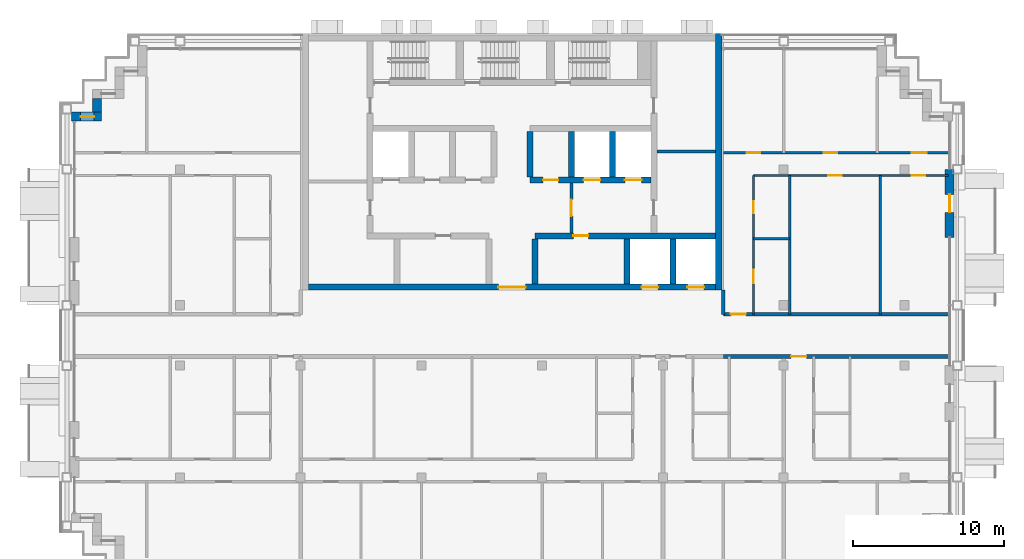
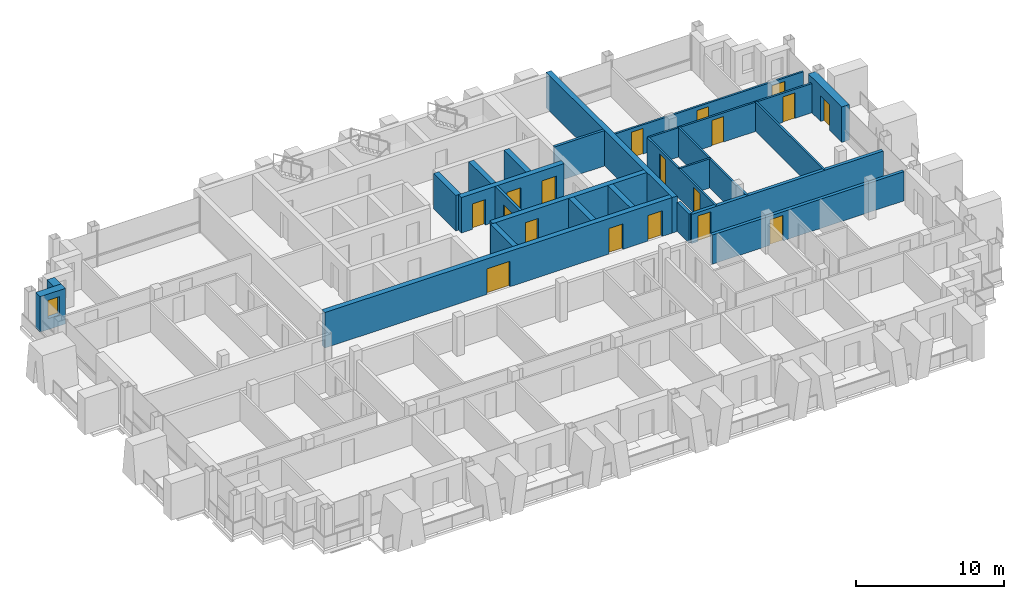
# One storey, part 10 of 15: 24 walls, 18 doors, 1 window, 19 openings.
"""IFC4 building model written with IfcOpenShell, lengths in metres."""

from ifc_helpers import new_model, si_unit, direction, frame, frame_2d, origin, place, context, subcontext, project, spatial, rectangle, extrude, material, layer, layer_set, type_object, element, fill, save


model = new_model("IFC4")

# Units and contexts
model_context = context("Model", 3, precision=1e-05, world=origin(), true_north=direction((0.0, 1.0)))
body_context = subcontext(model_context, "Body", "Model", "MODEL_VIEW")
ifc_project = project(units=[si_unit("LENGTHUNIT", "METRE"), si_unit("AREAUNIT", "SQUARE_METRE"), si_unit("VOLUMEUNIT", "CUBIC_METRE"), si_unit("PLANEANGLEUNIT", "RADIAN"), si_unit("MASSUNIT", "GRAM", prefix="KILO")], contexts=[model_context])

# Site, building, storey
site_placement = place(None, origin())
site = spatial("IfcSite", under=ifc_project, at=site_placement, CompositionType="ELEMENT")
building_placement = place(site_placement, origin())
building = spatial("IfcBuilding", under=site, at=building_placement, Name="Vidyagriha Tower", CompositionType="ELEMENT")
storey_placement = place(building_placement, frame((0.0, 0.0, 214.0)))
storey = spatial("IfcBuildingStorey", under=building, at=storey_placement, Name="L55", CompositionType="ELEMENT", Elevation=214.0)

# Wall
ifc_material_1 = material(Name="Precast concrete C40/50 with brick facing", Category="concrete")
ifc_layer_1 = layer(ifc_material_1, 0.60009765625)
ifc_layer_set_1 = layer_set([ifc_layer_1], Name="Precast concrete C40/50 with brick facing")
wall_type_1 = type_object("IfcWallType", Name="Brick-faced precast wall 600", PredefinedType="STANDARD", material=ifc_layer_set_1)
wall_1_placement = place(storey_placement, frame((-27.5, 15.699951171875, 0.0), z_axis=(0.0, 0.0, 1.0), x_axis=(0.0, -1.0, 0.0)))
element("IfcWall", 1, at=wall_1_placement, inside=storey, type_object=wall_type_1, Name="Stepped corner wall L55 R14", PredefinedType="STANDARD", context=body_context, shape_type="SweptSolid", body=[
    extrude(rectangle(XDim=0.89990234375, YDim=0.60009765625, at=frame_2d((0.449951171875, 0.0))), origin(), (0.0, 0.0, 1.0), 2.919921875),
])

# Wall, opening, window
wall_2_placement = place(storey_placement, frame((-27.199951171875, 14.5, 0.0), z_axis=(0.0, 0.0, 1.0), x_axis=(-1.0, 0.0, 0.0)))
wall_2 = element("IfcWall", 2, at=wall_2_placement, inside=storey, type_object=wall_type_1, Name="Stepped corner wall L55 R15", PredefinedType="STANDARD", context=body_context, shape_type="SweptSolid", body=[
    extrude(rectangle(XDim=2.0, YDim=0.60009765625, at=frame_2d((1.0, 0.0))), origin(), (0.0, 0.0, 1.0), 2.919921875),
])
opening_1_placement = place(wall_2_placement, frame((0.489990234375, 0.0, 0.89990234375)))
opening_1 = element("IfcOpeningElement", 3, at=opening_1_placement, cuts=wall_2, Name="Opening WN1", PredefinedType="OPENING", context=body_context, shape_type="SweptSolid", body=[
    extrude(rectangle(XDim=0.89990234375, YDim=1.5, at=frame_2d((0.449951171875, 0.75))), frame((0.0, 0.31005859375, 0.0), z_axis=(0.0, -1.0, 0.0), x_axis=(1.0, 0.0, 0.0)), (0.0, 0.0, 1.0), 0.6201171875),
])
ifc_material_2 = material(Name="Aluminium and glass window", Category="aluminium")
window_type = type_object("IfcWindowType", Name="Reveal window 900x1500", PartitioningType="NOTDEFINED", PredefinedType="WINDOW", material=ifc_material_2)
window_placement = place(opening_1_placement, origin())
window = element("IfcWindow", 4, at=window_placement, inside=storey, type_object=window_type, Name="Reveal window L55 R15", OverallHeight=1.5, OverallWidth=0.89990234375, PartitioningType="SINGLE_PANEL", PredefinedType="WINDOW", context=body_context, shape_type="SweptSolid", body=[
    extrude(rectangle(XDim=0.89990234375, YDim=1.5, at=frame_2d((0.449951171875, 0.75))), frame((0.0, 0.030029296875, 0.0), z_axis=(0.0, -1.0, 0.0), x_axis=(1.0, 0.0, 0.0)), (0.0, 0.0, 1.0), 0.06005859375),
])
fill(opening_1, window)

# Wall, opening, door
wall_3_placement = place(storey_placement, frame((29.0, 6.5, 0.0), z_axis=(0.0, 0.0, 1.0), x_axis=(0.0, 1.0, 0.0)))
wall_3 = element("IfcWall", 5, at=wall_3_placement, inside=storey, type_object=wall_type_1, Name="Brick door bay wall L55 R30.6", PredefinedType="STANDARD", context=body_context, shape_type="SweptSolid", body=[
    extrude(rectangle(XDim=4.5, YDim=0.60009765625, at=frame_2d((2.25, 0.0))), origin(), (0.0, 0.0, 1.0), 2.919921875),
])
opening_2_placement = place(wall_3_placement, frame((1.64990234375, 0.0, 0.0)))
opening_2 = element("IfcOpeningElement", 6, at=opening_2_placement, cuts=wall_3, Name="Opening D55-69", PredefinedType="OPENING", context=body_context, shape_type="SweptSolid", body=[
    extrude(rectangle(XDim=1.199951171875, YDim=2.10009765625, at=frame_2d((0.60009765625, 1.050048828125))), frame((0.0, 0.31005859375, 0.0), z_axis=(0.0, -1.0, 0.0), x_axis=(1.0, 0.0, 0.0)), (0.0, 0.0, 1.0), 0.6201171875),
])
ifc_material_3 = material(Name="Aluminium framed glazed sliding door", Category="aluminium")
door_type_1 = type_object("IfcDoorType", Name="Balcony sliding door 1200x2100", OperationType="NOTDEFINED", PredefinedType="DOOR", material=ifc_material_3)
door_1_placement = place(opening_2_placement, origin())
door_1 = element("IfcDoor", 7, at=door_1_placement, inside=storey, type_object=door_type_1, Name="Door D55-69", OperationType="SLIDING_TO_LEFT", OverallHeight=2.10009765625, OverallWidth=1.199951171875, PredefinedType="DOOR", context=body_context, shape_type="SweptSolid", body=[
    extrude(rectangle(XDim=1.199951171875, YDim=2.10009765625, at=frame_2d((0.60009765625, 1.050048828125))), frame((0.0, 0.02490234375, 0.0), z_axis=(0.0, -1.0, 0.0), x_axis=(1.0, 0.0, 0.0)), (0.0, 0.0, 1.0), 0.050048828125),
])
fill(opening_2, door_1)

# Wall
ifc_material_4 = material(Name="Concrete C60/75", Category="concrete")
ifc_layer_2 = layer(ifc_material_4, 0.39990234375)
ifc_layer_set_2 = layer_set([ifc_layer_2], Name="Concrete C60/75")
wall_type_2 = type_object("IfcWallType", Name="Core shear wall 400 mm", PredefinedType="SHEAR", material=ifc_layer_set_2)
wall_4_placement = place(storey_placement, frame((13.699951171875, 3.0, 0.0), z_axis=(0.0, 0.0, 1.0), x_axis=(0.0, 1.0, 0.0)))
element("IfcWall", 8, at=wall_4_placement, inside=storey, type_object=wall_type_2, Name="Core east wall", PredefinedType="SHEAR", context=body_context, shape_type="SweptSolid", body=[
    extrude(rectangle(XDim=17.0, YDim=0.39990234375, at=frame_2d((8.5, 0.0))), origin(), (0.0, 0.0, 1.0), 2.919921875),
])

# Wall, openings, doors
wall_5_placement = place(storey_placement, frame((-13.5, 3.199951171875, 0.0)))
wall_5 = element("IfcWall", 9, at=wall_5_placement, inside=storey, type_object=wall_type_2, Name="Core front wall", PredefinedType="SHEAR", context=body_context, shape_type="SweptSolid", body=[
    extrude(rectangle(XDim=27.0, YDim=0.39990234375, at=frame_2d((13.5, 0.0))), origin(), (0.0, 0.0, 1.0), 2.919921875),
])
opening_3_placement = place(wall_5_placement, frame((22.083251953125, 0.0, 0.0)))
opening_3 = element("IfcOpeningElement", 10, at=opening_3_placement, cuts=wall_5, Name="Opening LD55-01", PredefinedType="OPENING", context=body_context, shape_type="SweptSolid", body=[
    extrude(rectangle(XDim=1.10009765625, YDim=2.10009765625, at=frame_2d((0.550048828125, 1.050048828125))), frame((0.0, 0.2099609375, 0.0), z_axis=(0.0, -1.0, 0.0), x_axis=(1.0, 0.0, 0.0)), (0.0, 0.0, 1.0), 0.419921875),
])
opening_4_placement = place(wall_5_placement, frame((25.127685546875, 0.0, 0.0)))
opening_4 = element("IfcOpeningElement", 11, at=opening_4_placement, cuts=wall_5, Name="Opening LD55-02", PredefinedType="OPENING", context=body_context, shape_type="SweptSolid", body=[
    extrude(rectangle(XDim=1.10009765625, YDim=2.10009765625, at=frame_2d((0.550048828125, 1.050048828125))), frame((0.0, 0.2099609375, 0.0), z_axis=(0.0, -1.0, 0.0), x_axis=(1.0, 0.0, 0.0)), (0.0, 0.0, 1.0), 0.419921875),
])
opening_5_placement = place(wall_5_placement, frame((12.60009765625, 0.0, 0.0)))
opening_5 = element("IfcOpeningElement", 12, at=opening_5_placement, cuts=wall_5, Name="Opening D55-01", PredefinedType="OPENING", context=body_context, shape_type="SweptSolid", body=[
    extrude(rectangle(XDim=1.800048828125, YDim=2.10009765625, at=frame_2d((0.89990234375, 1.050048828125))), frame((0.0, 0.2099609375, 0.0), z_axis=(0.0, -1.0, 0.0), x_axis=(1.0, 0.0, 0.0)), (0.0, 0.0, 1.0), 0.419921875),
])
ifc_material_5 = material(Name="Hollow metal door leaf")
door_type_2 = type_object("IfcDoorType", Name="Core lobby double door 1800 x 2100 mm EI 60", OperationType="NOTDEFINED", PredefinedType="DOOR", material=ifc_material_5)
door_2_placement = place(opening_5_placement, frame((1.800048828125, 0.0, 0.0), z_axis=(0.0, 0.0, 1.0), x_axis=(-1.0, 0.0, 0.0)))
door_2 = element("IfcDoor", 13, at=door_2_placement, inside=storey, type_object=door_type_2, Name="Core entrance door L55", OperationType="DOUBLE_DOOR_SINGLE_SWING", OverallHeight=2.10009765625, OverallWidth=1.800048828125, PredefinedType="DOOR", context=body_context, shape_type="SweptSolid", body=[
    extrude(rectangle(XDim=1.800048828125, YDim=2.10009765625, at=frame_2d((0.89990234375, 1.050048828125))), frame((0.0, 0.02490234375, 0.0), z_axis=(0.0, -1.0, 0.0), x_axis=(1.0, 0.0, 0.0)), (0.0, 0.0, 1.0), 0.050048828125),
])
fill(opening_5, door_2)
ifc_material_6 = material(Name="Stainless steel sliding door panel", Category="steel")
door_type_3 = type_object("IfcDoorType", Name="Lift landing door 1100 x 2100 mm EI 90", OperationType="NOTDEFINED", PredefinedType="DOOR", material=ifc_material_6)
door_3_placement = place(opening_3_placement, origin())
door_3 = element("IfcDoor", 14, at=door_3_placement, inside=storey, type_object=door_type_3, Name="Landing door MR1 L55", OperationType="SLIDING_TO_LEFT", OverallHeight=2.10009765625, OverallWidth=1.10009765625, PredefinedType="DOOR", context=body_context, shape_type="SweptSolid", body=[
    extrude(rectangle(XDim=1.10009765625, YDim=2.10009765625, at=frame_2d((0.550048828125, 1.050048828125))), frame((0.0, 0.02490234375, 0.0), z_axis=(0.0, -1.0, 0.0), x_axis=(1.0, 0.0, 0.0)), (0.0, 0.0, 1.0), 0.050048828125),
])
fill(opening_3, door_3)
door_4_placement = place(opening_4_placement, origin())
door_4 = element("IfcDoor", 15, at=door_4_placement, inside=storey, type_object=door_type_3, Name="Landing door MR2 L55", OperationType="SLIDING_TO_LEFT", OverallHeight=2.10009765625, OverallWidth=1.10009765625, PredefinedType="DOOR", context=body_context, shape_type="SweptSolid", body=[
    extrude(rectangle(XDim=1.10009765625, YDim=2.10009765625, at=frame_2d((0.550048828125, 1.050048828125))), frame((0.0, 0.02490234375, 0.0), z_axis=(0.0, -1.0, 0.0), x_axis=(1.0, 0.0, 0.0)), (0.0, 0.0, 1.0), 0.050048828125),
])
fill(opening_4, door_4)

# Wall, opening, door
wall_6_placement = place(storey_placement, frame((1.522216796875, 6.60009765625, 0.0)))
wall_6 = element("IfcWall", 16, at=wall_6_placement, inside=storey, type_object=wall_type_2, Name="Core lobby south wall east", PredefinedType="SHEAR", context=body_context, shape_type="SweptSolid", body=[
    extrude(rectangle(XDim=11.977783203125, YDim=0.39990234375, at=frame_2d((5.98876953125, 0.0))), origin(), (0.0, 0.0, 1.0), 2.919921875),
])
opening_6_placement = place(wall_6_placement, frame((2.54443359375, 0.0, 0.0)))
opening_6 = element("IfcOpeningElement", 17, at=opening_6_placement, cuts=wall_6, Name="Opening D55-03", PredefinedType="OPENING", context=body_context, shape_type="SweptSolid", body=[
    extrude(rectangle(XDim=1.0, YDim=2.10009765625, at=frame_2d((0.5, 1.050048828125))), frame((0.0, 0.2099609375, 0.0), z_axis=(0.0, -1.0, 0.0), x_axis=(1.0, 0.0, 0.0)), (0.0, 0.0, 1.0), 0.419921875),
])
ifc_material_7 = material(Name="Hollow metal door leaf")
door_type_4 = type_object("IfcDoorType", Name="Core room door 1000 x 2100 mm EI 60", OperationType="NOTDEFINED", PredefinedType="DOOR", material=ifc_material_7)
door_5_placement = place(opening_6_placement, origin())
door_5 = element("IfcDoor", 18, at=door_5_placement, inside=storey, type_object=door_type_4, Name="Door Pressurisation Plant Room 55.02", OperationType="SINGLE_SWING_RIGHT", OverallHeight=2.10009765625, OverallWidth=1.0, PredefinedType="DOOR", context=body_context, shape_type="SweptSolid", body=[
    extrude(rectangle(XDim=1.0, YDim=2.10009765625, at=frame_2d((0.5, 1.050048828125))), frame((0.0, 0.02490234375, 0.0), z_axis=(0.0, -1.0, 0.0), x_axis=(1.0, 0.0, 0.0)), (0.0, 0.0, 1.0), 0.050048828125),
])
fill(opening_6, door_5)

# Walls
for number, where, z_axis, x_axis, name in (
    (19, (1.522216796875, 3.39990234375, 0.0), (0.0, 0.0, 1.0), (0.0, 1.0, 0.0), "Core bay wall S5"),
    (20, (7.611083984375, 3.39990234375, 0.0), (0.0, 0.0, 1.0), (0.0, 1.0, 0.0), "Core bay wall S7"),
    (21, (10.655517578125, 3.39990234375, 0.0), (0.0, 0.0, 1.0), (0.0, 1.0, 0.0), "Core bay wall S8"),
):
    element("IfcWall", number, at=place(storey_placement, frame(where, z_axis=z_axis, x_axis=x_axis)), inside=storey, type_object=wall_type_2, Name=name, PredefinedType="SHEAR", context=body_context, shape_type="SweptSolid", body=[
        extrude(rectangle(XDim=3.0, YDim=0.39990234375, at=frame_2d((1.5, 0.0))), origin(), (0.0, 0.0, 1.0), 2.919921875),
    ])

# Wall, openings, doors
wall_7_placement = place(storey_placement, frame((1.199951171875, 10.300048828125, 0.0)))
wall_7 = element("IfcWall", 22, at=wall_7_placement, inside=storey, type_object=wall_type_2, Name="Core row N front wall", PredefinedType="SHEAR", context=body_context, shape_type="SweptSolid", body=[
    extrude(rectangle(XDim=8.0, YDim=0.39990234375, at=frame_2d((4.0, 0.0))), origin(), (0.0, 0.0, 1.0), 2.919921875),
])
opening_7_placement = place(wall_7_placement, frame((3.550048828125, 0.0, 0.0)))
opening_7 = element("IfcOpeningElement", 23, at=opening_7_placement, cuts=wall_7, Name="Opening LD55-04", PredefinedType="OPENING", context=body_context, shape_type="SweptSolid", body=[
    extrude(rectangle(XDim=1.10009765625, YDim=2.10009765625, at=frame_2d((0.550048828125, 1.050048828125))), frame((0.0, 0.2099609375, 0.0), z_axis=(0.0, -1.0, 0.0), x_axis=(1.0, 0.0, 0.0)), (0.0, 0.0, 1.0), 0.419921875),
])
opening_8_placement = place(wall_7_placement, frame((6.283203125, 0.0, 0.0)))
opening_8 = element("IfcOpeningElement", 24, at=opening_8_placement, cuts=wall_7, Name="Opening LD55-05", PredefinedType="OPENING", context=body_context, shape_type="SweptSolid", body=[
    extrude(rectangle(XDim=1.10009765625, YDim=2.10009765625, at=frame_2d((0.550048828125, 1.050048828125))), frame((0.0, 0.2099609375, 0.0), z_axis=(0.0, -1.0, 0.0), x_axis=(1.0, 0.0, 0.0)), (0.0, 0.0, 1.0), 0.419921875),
])
opening_9_placement = place(wall_7_placement, frame((0.86669921875, 0.0, 0.0)))
opening_9 = element("IfcOpeningElement", 25, at=opening_9_placement, cuts=wall_7, Name="Opening D55-06", PredefinedType="OPENING", context=body_context, shape_type="SweptSolid", body=[
    extrude(rectangle(XDim=1.0, YDim=2.10009765625, at=frame_2d((0.5, 1.050048828125))), frame((0.0, 0.2099609375, 0.0), z_axis=(0.0, -1.0, 0.0), x_axis=(1.0, 0.0, 0.0)), (0.0, 0.0, 1.0), 0.419921875),
])
door_6_placement = place(opening_9_placement, frame((1.0, 0.0, 0.0), z_axis=(0.0, 0.0, 1.0), x_axis=(-1.0, 0.0, 0.0)))
door_6 = element("IfcDoor", 26, at=door_6_placement, inside=storey, type_object=door_type_4, Name="Door Pressurisation Plant Room 55.16", OperationType="SINGLE_SWING_LEFT", OverallHeight=2.10009765625, OverallWidth=1.0, PredefinedType="DOOR", context=body_context, shape_type="SweptSolid", body=[
    extrude(rectangle(XDim=1.0, YDim=2.10009765625, at=frame_2d((0.5, 1.050048828125))), frame((0.0, 0.02490234375, 0.0), z_axis=(0.0, -1.0, 0.0), x_axis=(1.0, 0.0, 0.0)), (0.0, 0.0, 1.0), 0.050048828125),
])
fill(opening_9, door_6)
door_7_placement = place(opening_7_placement, origin())
door_7 = element("IfcDoor", 27, at=door_7_placement, inside=storey, type_object=door_type_3, Name="Landing door FF1 L55", OperationType="SLIDING_TO_LEFT", OverallHeight=2.10009765625, OverallWidth=1.10009765625, PredefinedType="DOOR", context=body_context, shape_type="SweptSolid", body=[
    extrude(rectangle(XDim=1.10009765625, YDim=2.10009765625, at=frame_2d((0.550048828125, 1.050048828125))), frame((0.0, 0.02490234375, 0.0), z_axis=(0.0, -1.0, 0.0), x_axis=(1.0, 0.0, 0.0)), (0.0, 0.0, 1.0), 0.050048828125),
])
fill(opening_7, door_7)
door_8_placement = place(opening_8_placement, origin())
door_8 = element("IfcDoor", 28, at=door_8_placement, inside=storey, type_object=door_type_3, Name="Landing door FF2 L55", OperationType="SLIDING_TO_LEFT", OverallHeight=2.10009765625, OverallWidth=1.10009765625, PredefinedType="DOOR", context=body_context, shape_type="SweptSolid", body=[
    extrude(rectangle(XDim=1.10009765625, YDim=2.10009765625, at=frame_2d((0.550048828125, 1.050048828125))), frame((0.0, 0.02490234375, 0.0), z_axis=(0.0, -1.0, 0.0), x_axis=(1.0, 0.0, 0.0)), (0.0, 0.0, 1.0), 0.050048828125),
])
fill(opening_8, door_8)

# Walls
for number, where, z_axis, x_axis, name in (
    (29, (1.199951171875, 10.5, 0.0), (0.0, 0.0, 1.0), (0.0, 1.0, 0.0), "Core bay wall N4"),
    (30, (3.933349609375, 10.5, 0.0), (0.0, 0.0, 1.0), (0.0, 1.0, 0.0), "Core bay wall N5"),
    (31, (6.666748046875, 10.5, 0.0), (0.0, 0.0, 1.0), (0.0, 1.0, 0.0), "Core bay wall N6"),
):
    element("IfcWall", number, at=place(storey_placement, frame(where, z_axis=z_axis, x_axis=x_axis)), inside=storey, type_object=wall_type_2, Name=name, PredefinedType="SHEAR", context=body_context, shape_type="SweptSolid", body=[
        extrude(rectangle(XDim=3.0, YDim=0.39990234375, at=frame_2d((1.5, 0.0))), origin(), (0.0, 0.0, 1.0), 2.919921875),
    ])

# Wall, opening, door
ifc_material_8 = material(Name="Fired clay brick masonry", Category="masonry")
ifc_layer_3 = layer(ifc_material_8, 0.25)
ifc_layer_set_3 = layer_set([ifc_layer_3], Name="Fired clay brick masonry")
wall_type_3 = type_object("IfcWallType", Name="Fired clay brick corridor wall 250", PredefinedType="PARTITIONING", material=ifc_layer_set_3)
wall_8_placement = place(storey_placement, frame((28.919921875, -1.39990234375, 0.0), z_axis=(0.0, 0.0, 1.0), x_axis=(-1.0, 0.0, 0.0)))
wall_8 = element("IfcWall", 32, at=wall_8_placement, inside=storey, type_object=wall_type_3, Name="Wall all-L55-w065", PredefinedType="PARTITIONING", context=body_context, shape_type="SweptSolid", body=[
    extrude(rectangle(XDim=14.919921875, YDim=0.25, at=frame_2d((7.4599609375, 0.0))), origin(), (0.0, 0.0, 1.0), 2.39990234375),
])
opening_10_placement = place(wall_8_placement, frame((9.419921875, 0.0, 0.0)))
opening_10 = element("IfcOpeningElement", 33, at=opening_10_placement, cuts=wall_8, Name="Opening D55-44", PredefinedType="OPENING", context=body_context, shape_type="SweptSolid", body=[
    extrude(rectangle(XDim=1.0, YDim=2.10009765625, at=frame_2d((0.5, 1.050048828125))), frame((0.0, 0.135009765625, 0.0), z_axis=(0.0, -1.0, 0.0), x_axis=(1.0, 0.0, 0.0)), (0.0, 0.0, 1.0), 0.27001953125),
])
ifc_material_9 = material(Name="Fire-rated timber door leaf EI 60", Category="wood")
door_type_5 = type_object("IfcDoorType", Name="Flat entrance fire door 1000x2100", OperationType="NOTDEFINED", PredefinedType="DOOR", material=ifc_material_9)
door_9_placement = place(opening_10_placement, origin())
door_9 = element("IfcDoor", 34, at=door_9_placement, inside=storey, type_object=door_type_5, Name="Door D55-44", OperationType="SINGLE_SWING_RIGHT", OverallHeight=2.10009765625, OverallWidth=1.0, PredefinedType="DOOR", context=body_context, shape_type="SweptSolid", body=[
    extrude(rectangle(XDim=1.0, YDim=2.10009765625, at=frame_2d((0.5, 1.050048828125))), frame((0.0, 0.02490234375, 0.0), z_axis=(0.0, -1.0, 0.0), x_axis=(1.0, 0.0, 0.0)), (0.0, 0.0, 1.0), 0.050048828125),
])
fill(opening_10, door_9)

wall_9_placement = place(storey_placement, frame((14.0, 1.39990234375, 0.0)))
wall_9 = element("IfcWall", 35, at=wall_9_placement, inside=storey, type_object=wall_type_3, Name="Wall all-L55-w097", PredefinedType="PARTITIONING", context=body_context, shape_type="SweptSolid", body=[
    extrude(rectangle(XDim=14.919921875, YDim=0.25, at=frame_2d((7.4599609375, 0.0))), origin(), (0.0, 0.0, 1.0), 2.39990234375),
])
opening_11_placement = place(wall_9_placement, frame((0.5, 0.0, 0.0)))
opening_11 = element("IfcOpeningElement", 36, at=opening_11_placement, cuts=wall_9, Name="Opening D55-59", PredefinedType="OPENING", context=body_context, shape_type="SweptSolid", body=[
    extrude(rectangle(XDim=1.0, YDim=2.10009765625, at=frame_2d((0.5, 1.050048828125))), frame((0.0, 0.135009765625, 0.0), z_axis=(0.0, -1.0, 0.0), x_axis=(1.0, 0.0, 0.0)), (0.0, 0.0, 1.0), 0.27001953125),
])
door_10_placement = place(opening_11_placement, origin())
door_10 = element("IfcDoor", 37, at=door_10_placement, inside=storey, type_object=door_type_5, Name="Door D55-59", OperationType="SINGLE_SWING_LEFT", OverallHeight=2.10009765625, OverallWidth=1.0, PredefinedType="DOOR", context=body_context, shape_type="SweptSolid", body=[
    extrude(rectangle(XDim=1.0, YDim=2.10009765625, at=frame_2d((0.5, 1.050048828125))), frame((0.0, 0.02490234375, 0.0), z_axis=(0.0, -1.0, 0.0), x_axis=(1.0, 0.0, 0.0)), (0.0, 0.0, 1.0), 0.050048828125),
])
fill(opening_11, door_10)

# Walls
wall_10_placement = place(storey_placement, frame((14.0, 1.39990234375, 0.0), z_axis=(0.0, 0.0, 1.0), x_axis=(0.0, 1.0, 0.0)))
element("IfcWall", 38, at=wall_10_placement, inside=storey, type_object=wall_type_3, Name="Wall all-L55-w100", PredefinedType="PARTITIONING", context=body_context, shape_type="SweptSolid", body=[
    extrude(rectangle(XDim=1.60009765625, YDim=0.25, at=frame_2d((0.800048828125, 0.0))), origin(), (0.0, 0.0, 1.0), 2.39990234375),
])
ifc_material_10 = material(Name="Gypsum board partition")
ifc_layer_4 = layer(ifc_material_10, 0.14990234375)
ifc_layer_set_4 = layer_set([ifc_layer_4], Name="Gypsum board partition")
wall_type_4 = type_object("IfcWallType", Name="Gypsum board partition 150", PredefinedType="PARTITIONING", material=ifc_layer_set_4)
wall_11_placement = place(storey_placement, frame((16.0, 6.39990234375, 0.0)))
element("IfcWall", 39, at=wall_11_placement, inside=storey, type_object=wall_type_4, Name="Wall all-L55-w084", PredefinedType="PARTITIONING", context=body_context, shape_type="SweptSolid", body=[
    extrude(rectangle(XDim=2.39990234375, YDim=0.14990234375, at=frame_2d((1.199951171875, 0.0))), origin(), (0.0, 0.0, 1.0), 2.39990234375),
])
for number, where, z_axis, x_axis, name in (
    (40, (18.39990234375, 10.60009765625, 0.0), (0.0, 0.0, 1.0), (0.0, -1.0, 0.0), "Wall all-L55-w085"),
    (41, (24.39990234375, 10.60009765625, 0.0), (0.0, 0.0, 1.0), (0.0, -1.0, 0.0), "Wall all-L55-w086"),
):
    element("IfcWall", number, at=place(storey_placement, frame(where, z_axis=z_axis, x_axis=x_axis)), inside=storey, type_object=wall_type_4, Name=name, PredefinedType="PARTITIONING", context=body_context, shape_type="SweptSolid", body=[
        extrude(rectangle(XDim=9.2001953125, YDim=0.14990234375, at=frame_2d((4.60009765625, 0.0))), origin(), (0.0, 0.0, 1.0), 2.39990234375),
    ])

# Wall, openings, doors
wall_12_placement = place(storey_placement, frame((28.909912109375, 10.60009765625, 0.0), z_axis=(0.0, 0.0, 1.0), x_axis=(-1.0, 0.0, 0.0)))
wall_12 = element("IfcWall", 42, at=wall_12_placement, inside=storey, type_object=wall_type_4, Name="Wall all-L55-w087", PredefinedType="PARTITIONING", context=body_context, shape_type="SweptSolid", body=[
    extrude(rectangle(XDim=12.909912109375, YDim=0.14990234375, at=frame_2d((6.455078125, 0.0))), origin(), (0.0, 0.0, 1.0), 2.39990234375),
])
opening_12_placement = place(wall_12_placement, frame((7.06005859375, 0.0, 0.0)))
opening_12 = element("IfcOpeningElement", 43, at=opening_12_placement, cuts=wall_12, Name="Opening D55-54", PredefinedType="OPENING", context=body_context, shape_type="SweptSolid", body=[
    extrude(rectangle(XDim=0.89990234375, YDim=2.10009765625, at=frame_2d((0.449951171875, 1.050048828125))), frame((0.0, 0.0849609375, 0.0), z_axis=(0.0, -1.0, 0.0), x_axis=(1.0, 0.0, 0.0)), (0.0, 0.0, 1.0), 0.169921875),
])
opening_13_placement = place(wall_12_placement, frame((1.533935546875, 0.0, 0.0)))
opening_13 = element("IfcOpeningElement", 44, at=opening_13_placement, cuts=wall_12, Name="Opening D55-55", PredefinedType="OPENING", context=body_context, shape_type="SweptSolid", body=[
    extrude(rectangle(XDim=0.89990234375, YDim=2.10009765625, at=frame_2d((0.449951171875, 1.050048828125))), frame((0.0, 0.0849609375, 0.0), z_axis=(0.0, -1.0, 0.0), x_axis=(1.0, 0.0, 0.0)), (0.0, 0.0, 1.0), 0.169921875),
])
ifc_material_11 = material(Name="Timber door leaf", Category="wood")
door_type_6 = type_object("IfcDoorType", Name="Room door 900x2100", OperationType="NOTDEFINED", PredefinedType="DOOR", material=ifc_material_11)
door_11_placement = place(opening_12_placement, origin())
door_11 = element("IfcDoor", 45, at=door_11_placement, inside=storey, type_object=door_type_6, Name="Door D55-54", OperationType="SINGLE_SWING_RIGHT", OverallHeight=2.10009765625, OverallWidth=0.89990234375, PredefinedType="DOOR", context=body_context, shape_type="SweptSolid", body=[
    extrude(rectangle(XDim=0.89990234375, YDim=2.10009765625, at=frame_2d((0.449951171875, 1.050048828125))), frame((0.0, 0.02490234375, 0.0), z_axis=(0.0, -1.0, 0.0), x_axis=(1.0, 0.0, 0.0)), (0.0, 0.0, 1.0), 0.050048828125),
])
fill(opening_12, door_11)
door_12_placement = place(opening_13_placement, origin())
door_12 = element("IfcDoor", 46, at=door_12_placement, inside=storey, type_object=door_type_6, Name="Door D55-55", OperationType="SINGLE_SWING_LEFT", OverallHeight=2.10009765625, OverallWidth=0.89990234375, PredefinedType="DOOR", context=body_context, shape_type="SweptSolid", body=[
    extrude(rectangle(XDim=0.89990234375, YDim=2.10009765625, at=frame_2d((0.449951171875, 1.050048828125))), frame((0.0, 0.02490234375, 0.0), z_axis=(0.0, -1.0, 0.0), x_axis=(1.0, 0.0, 0.0)), (0.0, 0.0, 1.0), 0.050048828125),
])
fill(opening_13, door_12)

wall_13_placement = place(storey_placement, frame((14.0, 12.10009765625, 0.0)))
wall_13 = element("IfcWall", 47, at=wall_13_placement, inside=storey, type_object=wall_type_4, Name="Wall all-L55-w090", PredefinedType="PARTITIONING", context=body_context, shape_type="SweptSolid", body=[
    extrude(rectangle(XDim=14.919921875, YDim=0.14990234375, at=frame_2d((7.4599609375, 0.0))), origin(), (0.0, 0.0, 1.0), 2.39990234375),
])
opening_14_placement = place(wall_13_placement, frame((1.550048828125, 0.0, 0.0)))
opening_14 = element("IfcOpeningElement", 48, at=opening_14_placement, cuts=wall_13, Name="Opening D55-56", PredefinedType="OPENING", context=body_context, shape_type="SweptSolid", body=[
    extrude(rectangle(XDim=0.89990234375, YDim=2.10009765625, at=frame_2d((0.449951171875, 1.050048828125))), frame((0.0, 0.0849609375, 0.0), z_axis=(0.0, -1.0, 0.0), x_axis=(1.0, 0.0, 0.0)), (0.0, 0.0, 1.0), 0.169921875),
])
opening_15_placement = place(wall_13_placement, frame((6.64990234375, 0.0, 0.0)))
opening_15 = element("IfcOpeningElement", 49, at=opening_15_placement, cuts=wall_13, Name="Opening D55-57", PredefinedType="OPENING", context=body_context, shape_type="SweptSolid", body=[
    extrude(rectangle(XDim=0.89990234375, YDim=2.10009765625, at=frame_2d((0.449951171875, 1.050048828125))), frame((0.0, 0.0849609375, 0.0), z_axis=(0.0, -1.0, 0.0), x_axis=(1.0, 0.0, 0.0)), (0.0, 0.0, 1.0), 0.169921875),
])
opening_16_placement = place(wall_13_placement, frame((12.47607421875, 0.0, 0.0)))
opening_16 = element("IfcOpeningElement", 50, at=opening_16_placement, cuts=wall_13, Name="Opening D55-58", PredefinedType="OPENING", context=body_context, shape_type="SweptSolid", body=[
    extrude(rectangle(XDim=1.0, YDim=2.10009765625, at=frame_2d((0.5, 1.050048828125))), frame((0.0, 0.0849609375, 0.0), z_axis=(0.0, -1.0, 0.0), x_axis=(1.0, 0.0, 0.0)), (0.0, 0.0, 1.0), 0.169921875),
])
ifc_material_12 = material(Name="Timber door leaf", Category="wood")
door_type_7 = type_object("IfcDoorType", Name="Room door 1000x2100", OperationType="NOTDEFINED", PredefinedType="DOOR", material=ifc_material_12)
door_13_placement = place(opening_16_placement, origin())
door_13 = element("IfcDoor", 51, at=door_13_placement, inside=storey, type_object=door_type_7, Name="Door D55-58", OperationType="SINGLE_SWING_RIGHT", OverallHeight=2.10009765625, OverallWidth=1.0, PredefinedType="DOOR", context=body_context, shape_type="SweptSolid", body=[
    extrude(rectangle(XDim=1.0, YDim=2.10009765625, at=frame_2d((0.5, 1.050048828125))), frame((0.0, 0.02490234375, 0.0), z_axis=(0.0, -1.0, 0.0), x_axis=(1.0, 0.0, 0.0)), (0.0, 0.0, 1.0), 0.050048828125),
])
fill(opening_16, door_13)
door_14_placement = place(opening_14_placement, origin())
door_14 = element("IfcDoor", 52, at=door_14_placement, inside=storey, type_object=door_type_6, Name="Door D55-56", OperationType="SINGLE_SWING_RIGHT", OverallHeight=2.10009765625, OverallWidth=0.89990234375, PredefinedType="DOOR", context=body_context, shape_type="SweptSolid", body=[
    extrude(rectangle(XDim=0.89990234375, YDim=2.10009765625, at=frame_2d((0.449951171875, 1.050048828125))), frame((0.0, 0.02490234375, 0.0), z_axis=(0.0, -1.0, 0.0), x_axis=(1.0, 0.0, 0.0)), (0.0, 0.0, 1.0), 0.050048828125),
])
fill(opening_14, door_14)
door_15_placement = place(opening_15_placement, origin())
door_15 = element("IfcDoor", 53, at=door_15_placement, inside=storey, type_object=door_type_6, Name="Door D55-57", OperationType="SINGLE_SWING_RIGHT", OverallHeight=2.10009765625, OverallWidth=0.89990234375, PredefinedType="DOOR", context=body_context, shape_type="SweptSolid", body=[
    extrude(rectangle(XDim=0.89990234375, YDim=2.10009765625, at=frame_2d((0.449951171875, 1.050048828125))), frame((0.0, 0.02490234375, 0.0), z_axis=(0.0, -1.0, 0.0), x_axis=(1.0, 0.0, 0.0)), (0.0, 0.0, 1.0), 0.050048828125),
])
fill(opening_15, door_15)

ifc_material_13 = material(Name="Moisture resistant gypsum board partition")
ifc_layer_5 = layer(ifc_material_13, 0.14990234375)
ifc_layer_set_5 = layer_set([ifc_layer_5], Name="Moisture resistant gypsum board partition")
wall_type_5 = type_object("IfcWallType", Name="Gypsum board wet-area partition 150", PredefinedType="PARTITIONING", material=ifc_layer_set_5)
wall_14_placement = place(storey_placement, frame((16.0, 10.60009765625, 0.0), z_axis=(0.0, 0.0, 1.0), x_axis=(0.0, -1.0, 0.0)))
wall_14 = element("IfcWall", 54, at=wall_14_placement, inside=storey, type_object=wall_type_5, Name="Wall all-L55-w081", PredefinedType="PARTITIONING", context=body_context, shape_type="SweptSolid", body=[
    extrude(rectangle(XDim=9.2001953125, YDim=0.14990234375, at=frame_2d((4.60009765625, 0.0))), origin(), (0.0, 0.0, 1.0), 2.39990234375),
])
opening_17_placement = place(wall_14_placement, frame((6.25, 0.0, 0.0)))
opening_17 = element("IfcOpeningElement", 55, at=opening_17_placement, cuts=wall_14, Name="Opening D55-52", PredefinedType="OPENING", context=body_context, shape_type="SweptSolid", body=[
    extrude(rectangle(XDim=0.89990234375, YDim=2.10009765625, at=frame_2d((0.449951171875, 1.050048828125))), frame((0.0, 0.0849609375, 0.0), z_axis=(0.0, -1.0, 0.0), x_axis=(1.0, 0.0, 0.0)), (0.0, 0.0, 1.0), 0.169921875),
])
opening_18_placement = place(wall_14_placement, frame((1.699951171875, 0.0, 0.0)))
opening_18 = element("IfcOpeningElement", 56, at=opening_18_placement, cuts=wall_14, Name="Opening D55-53", PredefinedType="OPENING", context=body_context, shape_type="SweptSolid", body=[
    extrude(rectangle(XDim=0.800048828125, YDim=2.10009765625, at=frame_2d((0.39990234375, 1.050048828125))), frame((0.0, 0.0849609375, 0.0), z_axis=(0.0, -1.0, 0.0), x_axis=(1.0, 0.0, 0.0)), (0.0, 0.0, 1.0), 0.169921875),
])
ifc_material_14 = material(Name="Timber door leaf", Category="wood")
door_type_8 = type_object("IfcDoorType", Name="Bathroom door 800x2100", OperationType="NOTDEFINED", PredefinedType="DOOR", material=ifc_material_14)
door_16_placement = place(opening_18_placement, origin())
door_16 = element("IfcDoor", 57, at=door_16_placement, inside=storey, type_object=door_type_8, Name="Door D55-53", OperationType="SINGLE_SWING_RIGHT", OverallHeight=2.10009765625, OverallWidth=0.800048828125, PredefinedType="DOOR", context=body_context, shape_type="SweptSolid", body=[
    extrude(rectangle(XDim=0.800048828125, YDim=2.10009765625, at=frame_2d((0.39990234375, 1.050048828125))), frame((0.0, 0.02490234375, 0.0), z_axis=(0.0, -1.0, 0.0), x_axis=(1.0, 0.0, 0.0)), (0.0, 0.0, 1.0), 0.050048828125),
])
fill(opening_18, door_16)
ifc_material_15 = material(Name="Timber door leaf", Category="wood")
door_type_9 = type_object("IfcDoorType", Name="Kitchen door 900x2100", OperationType="NOTDEFINED", PredefinedType="DOOR", material=ifc_material_15)
door_17_placement = place(opening_17_placement, origin())
door_17 = element("IfcDoor", 58, at=door_17_placement, inside=storey, type_object=door_type_9, Name="Door D55-52", OperationType="SINGLE_SWING_LEFT", OverallHeight=2.10009765625, OverallWidth=0.89990234375, PredefinedType="DOOR", context=body_context, shape_type="SweptSolid", body=[
    extrude(rectangle(XDim=0.89990234375, YDim=2.10009765625, at=frame_2d((0.449951171875, 1.050048828125))), frame((0.0, 0.02490234375, 0.0), z_axis=(0.0, -1.0, 0.0), x_axis=(1.0, 0.0, 0.0)), (0.0, 0.0, 1.0), 0.050048828125),
])
fill(opening_17, door_17)

# Wall, opening, door
ifc_material_16 = material(Name="Blockwork 15 MPa", Category="masonry")
ifc_layer_6 = layer(ifc_material_16, 0.199951171875)
ifc_layer_set_6 = layer_set([ifc_layer_6], Name="Blockwork 15 MPa")
wall_type_6 = type_object("IfcWallType", Name="Service room partition 200 mm", PredefinedType="PARTITIONING", material=ifc_layer_set_6)
wall_15_placement = place(storey_placement, frame((3.933349609375, 6.800048828125, 0.0), z_axis=(0.0, 0.0, 1.0), x_axis=(0.0, 1.0, 0.0)))
wall_15 = element("IfcWall", 59, at=wall_15_placement, inside=storey, type_object=wall_type_6, Name="Fire-fighting lobby west wall", PredefinedType="PARTITIONING", context=body_context, shape_type="SweptSolid", body=[
    extrude(rectangle(XDim=3.300048828125, YDim=0.199951171875, at=frame_2d((1.64990234375, 0.0))), origin(), (0.0, 0.0, 1.0), 2.919921875),
])
opening_19_placement = place(wall_15_placement, frame((1.10009765625, 0.0, 0.0)))
opening_19 = element("IfcOpeningElement", 60, at=opening_19_placement, cuts=wall_15, Name="Opening D55-07", PredefinedType="OPENING", context=body_context, shape_type="SweptSolid", body=[
    extrude(rectangle(XDim=1.10009765625, YDim=2.10009765625, at=frame_2d((0.550048828125, 1.050048828125))), frame((0.0, 0.10986328125, 0.0), z_axis=(0.0, -1.0, 0.0), x_axis=(1.0, 0.0, 0.0)), (0.0, 0.0, 1.0), 0.219970703125),
])
ifc_material_17 = material(Name="Hollow metal door leaf")
door_type_10 = type_object("IfcDoorType", Name="Fire-fighting lobby door 1100 x 2100 mm EI 90", OperationType="NOTDEFINED", PredefinedType="DOOR", material=ifc_material_17)
door_18_placement = place(opening_19_placement, origin())
door_18 = element("IfcDoor", 61, at=door_18_placement, inside=storey, type_object=door_type_10, Name="Fire-fighting lobby door L55", OperationType="SINGLE_SWING_RIGHT", OverallHeight=2.10009765625, OverallWidth=1.10009765625, PredefinedType="DOOR", context=body_context, shape_type="SweptSolid", body=[
    extrude(rectangle(XDim=1.10009765625, YDim=2.10009765625, at=frame_2d((0.550048828125, 1.050048828125))), frame((0.0, 0.02490234375, 0.0), z_axis=(0.0, -1.0, 0.0), x_axis=(1.0, 0.0, 0.0)), (0.0, 0.0, 1.0), 0.050048828125),
])
fill(opening_19, door_18)

# Wall
wall_16_placement = place(storey_placement, frame((9.60009765625, 12.199951171875, 0.0)))
element("IfcWall", 62, at=wall_16_placement, inside=storey, type_object=wall_type_6, Name="Core room partition E1", PredefinedType="PARTITIONING", context=body_context, shape_type="SweptSolid", body=[
    extrude(rectangle(XDim=3.89990234375, YDim=0.199951171875, at=frame_2d((1.949951171875, 0.0))), origin(), (0.0, 0.0, 1.0), 2.919921875),
])

save(model, "model.ifc")
